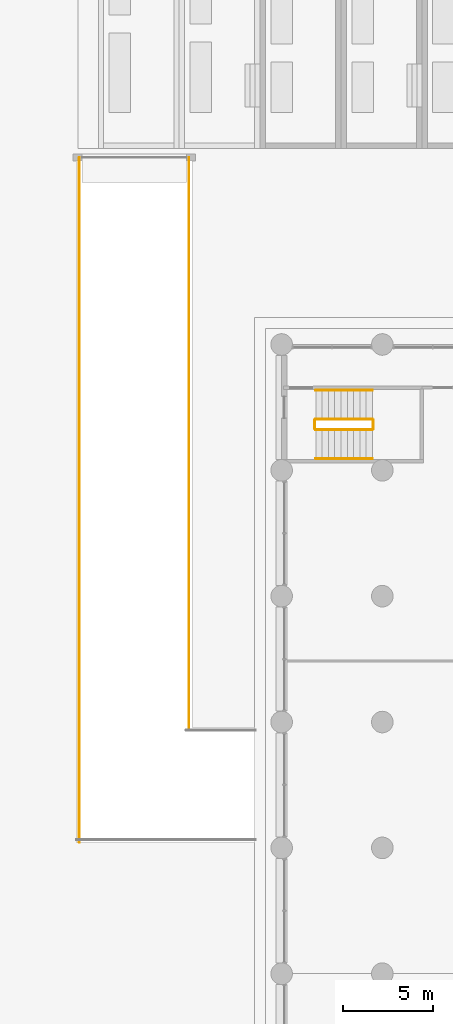
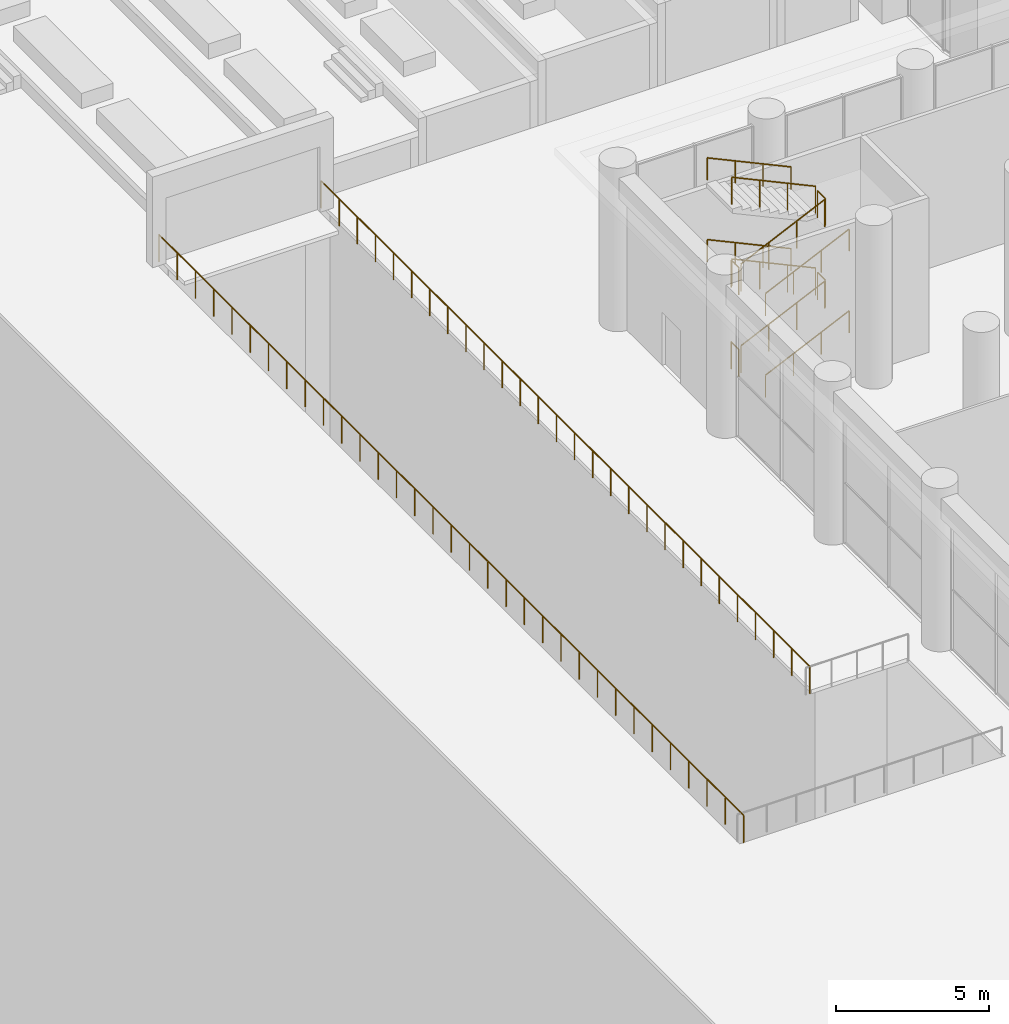
# One storey, part 46 of 51: 14 railings.
"""IFC4 building model written with IfcOpenShell, lengths in metres."""

from ifc_helpers import new_model, si_unit, direction, frame, origin, origin_2d, place, context, subcontext, project, spatial, circle, extrude, material, type_object, element, save


model = new_model("IFC4")

# Units and contexts
model_context = context("Model", 3, precision=1e-05, world=origin(), true_north=direction((0.0, 1.0)))
body_context = subcontext(model_context, "Body", "Model", "MODEL_VIEW")
ifc_project = project(units=[si_unit("LENGTHUNIT", "METRE"), si_unit("AREAUNIT", "SQUARE_METRE"), si_unit("VOLUMEUNIT", "CUBIC_METRE"), si_unit("PLANEANGLEUNIT", "RADIAN"), si_unit("MASSUNIT", "GRAM", prefix="KILO")], contexts=[model_context])

# Site, building, storey
site_placement = place(None, origin())
site = spatial("IfcSite", under=ifc_project, at=site_placement, CompositionType="ELEMENT")
building_placement = place(site_placement, origin())
building = spatial("IfcBuilding", under=site, at=building_placement, Name="Kiln Ring Residences", CompositionType="ELEMENT")
storey_placement = place(building_placement, origin())
storey = spatial("IfcBuildingStorey", under=building, at=storey_placement, Name="L00", CompositionType="ELEMENT", Elevation=0.0)

# Railings
ifc_material_1 = material(Name="Stainless steel", Category="steel")
railing_type_1 = type_object("IfcRailingType", Name="PODIUM-STAIR-GUARD", PredefinedType="GUARDRAIL", material=ifc_material_1)
railing_1_placement = place(storey_placement, frame((-42.89990234375, -27.14990234375, 0.16259765625)))
element("IfcRailing", 1, at=railing_1_placement, inside=storey, type_object=railing_type_1, Name="L00 PS-W stair guard 1", PredefinedType="GUARDRAIL", context=body_context, shape_type="SweptSolid", body=[
    extrude(circle(Radius=0.02392578125, at=origin_2d()), frame((0.0, 0.0, 1.076171875), z_axis=(0.90701472152, 0.0, 0.421098913494), x_axis=(0.0, 1.0, 0.0)), (0.0, 0.0, 1.0), 3.472900390625),
    extrude(circle(Radius=0.02099609375, at=origin_2d()), origin(), (0.0, 0.0, 1.0), 1.052001953125),
    extrude(circle(Radius=0.02099609375, at=origin_2d()), frame((1.050048828125, 0.0, 0.487548828125)), (0.0, 0.0, 1.0), 1.052001953125),
    extrude(circle(Radius=0.02099609375, at=origin_2d()), frame((2.099853515625, 0.0, 0.974853515625)), (0.0, 0.0, 1.0), 1.052001953125),
    extrude(circle(Radius=0.02099609375, at=origin_2d()), frame((3.14990234375, 0.0, 1.46240234375)), (0.0, 0.0, 1.0), 1.052001953125),
])
railing_2_placement = place(storey_placement, frame((-39.699951171875, -27.10009765625, 1.625)))
element("IfcRailing", 2, at=railing_2_placement, inside=storey, type_object=railing_type_1, Name="L00 PS-W stair guard 2", PredefinedType="GUARDRAIL", context=body_context, shape_type="SweptSolid", body=[
    extrude(circle(Radius=0.02392578125, at=origin_2d()), frame((0.0, 0.0, 1.076171875), z_axis=(0.0, 1.0, 0.0), x_axis=(-1.0, 0.0, 0.0)), (0.0, 0.0, 1.0), 0.5),
    extrude(circle(Radius=0.02099609375, at=origin_2d()), origin(), (0.0, 0.0, 1.0), 1.052001953125),
    extrude(circle(Radius=0.02099609375, at=origin_2d()), frame((0.0, 0.5, 0.0)), (0.0, 0.0, 1.0), 1.052001953125),
])
railing_3_placement = place(storey_placement, frame((-39.75, -26.550048828125, 1.78759765625)))
element("IfcRailing", 3, at=railing_3_placement, inside=storey, type_object=railing_type_1, Name="L00 PS-W stair guard 3", PredefinedType="GUARDRAIL", context=body_context, shape_type="SweptSolid", body=[
    extrude(circle(Radius=0.02392578125, at=origin_2d()), frame((0.0, 0.0, 1.076171875), z_axis=(-0.90701472152, 0.0, 0.421098913494), x_axis=(0.0, -1.0, 0.0)), (0.0, 0.0, 1.0), 3.472900390625),
    extrude(circle(Radius=0.02099609375, at=origin_2d()), origin(), (0.0, 0.0, 1.0), 1.052001953125),
    extrude(circle(Radius=0.02099609375, at=origin_2d()), frame((-1.050048828125, 0.0, 0.487548828125)), (0.0, 0.0, 1.0), 1.052001953125),
    extrude(circle(Radius=0.02099609375, at=origin_2d()), frame((-2.099853515625, 0.0, 0.974853515625)), (0.0, 0.0, 1.0), 1.052001953125),
    extrude(circle(Radius=0.02099609375, at=origin_2d()), frame((-3.14990234375, 0.0, 1.46240234375)), (0.0, 0.0, 1.0), 1.052001953125),
])
railing_4_placement = place(storey_placement, frame((-42.949951171875, -27.10009765625, 3.25)))
element("IfcRailing", 4, at=railing_4_placement, inside=storey, type_object=railing_type_1, Name="L00 PS-W stair guard 4", PredefinedType="GUARDRAIL", context=body_context, shape_type="SweptSolid", body=[
    extrude(circle(Radius=0.02392578125, at=origin_2d()), frame((0.0, 0.0, 1.076171875), z_axis=(0.0, 1.0, 0.0), x_axis=(-1.0, 0.0, 0.0)), (0.0, 0.0, 1.0), 0.5),
    extrude(circle(Radius=0.02099609375, at=origin_2d()), origin(), (0.0, 0.0, 1.0), 1.052001953125),
    extrude(circle(Radius=0.02099609375, at=origin_2d()), frame((0.0, 0.5, 0.0)), (0.0, 0.0, 1.0), 1.052001953125),
])
railing_5_placement = place(storey_placement, frame((-42.89990234375, -27.14990234375, 3.41259765625)))
element("IfcRailing", 5, at=railing_5_placement, inside=storey, type_object=railing_type_1, Name="L00 PS-W stair guard 5", PredefinedType="GUARDRAIL", context=body_context, shape_type="SweptSolid", body=[
    extrude(circle(Radius=0.02392578125, at=origin_2d()), frame((0.0, 0.0, 1.076171875), z_axis=(0.90701472152, 0.0, 0.421098913494), x_axis=(0.0, 1.0, 0.0)), (0.0, 0.0, 1.0), 3.472900390625),
    extrude(circle(Radius=0.02099609375, at=origin_2d()), origin(), (0.0, 0.0, 1.0), 1.052001953125),
    extrude(circle(Radius=0.02099609375, at=origin_2d()), frame((1.050048828125, 0.0, 0.487548828125)), (0.0, 0.0, 1.0), 1.052001953125),
    extrude(circle(Radius=0.02099609375, at=origin_2d()), frame((2.099853515625, 0.0, 0.974853515625)), (0.0, 0.0, 1.0), 1.052001953125),
    extrude(circle(Radius=0.02099609375, at=origin_2d()), frame((3.14990234375, 0.0, 1.46240234375)), (0.0, 0.0, 1.0), 1.052001953125),
])
railing_6_placement = place(storey_placement, frame((-39.699951171875, -27.10009765625, 4.875)))
element("IfcRailing", 6, at=railing_6_placement, inside=storey, type_object=railing_type_1, Name="L00 PS-W stair guard 6", PredefinedType="GUARDRAIL", context=body_context, shape_type="SweptSolid", body=[
    extrude(circle(Radius=0.02392578125, at=origin_2d()), frame((0.0, 0.0, 1.076171875), z_axis=(0.0, 1.0, 0.0), x_axis=(-1.0, 0.0, 0.0)), (0.0, 0.0, 1.0), 0.5),
    extrude(circle(Radius=0.02099609375, at=origin_2d()), origin(), (0.0, 0.0, 1.0), 1.052001953125),
    extrude(circle(Radius=0.02099609375, at=origin_2d()), frame((0.0, 0.5, 0.0)), (0.0, 0.0, 1.0), 1.052001953125),
])
railing_7_placement = place(storey_placement, frame((-39.75, -26.550048828125, 5.03759765625)))
element("IfcRailing", 7, at=railing_7_placement, inside=storey, type_object=railing_type_1, Name="L00 PS-W stair guard 7", PredefinedType="GUARDRAIL", context=body_context, shape_type="SweptSolid", body=[
    extrude(circle(Radius=0.02392578125, at=origin_2d()), frame((0.0, 0.0, 1.076171875), z_axis=(-0.90701472152, 0.0, 0.421098913494), x_axis=(0.0, -1.0, 0.0)), (0.0, 0.0, 1.0), 3.472900390625),
    extrude(circle(Radius=0.02099609375, at=origin_2d()), origin(), (0.0, 0.0, 1.0), 1.052001953125),
    extrude(circle(Radius=0.02099609375, at=origin_2d()), frame((-1.050048828125, 0.0, 0.487548828125)), (0.0, 0.0, 1.0), 1.052001953125),
    extrude(circle(Radius=0.02099609375, at=origin_2d()), frame((-2.099853515625, 0.0, 0.974853515625)), (0.0, 0.0, 1.0), 1.052001953125),
    extrude(circle(Radius=0.02099609375, at=origin_2d()), frame((-3.14990234375, 0.0, 1.46240234375)), (0.0, 0.0, 1.0), 1.052001953125),
])
railing_8_placement = place(storey_placement, frame((-42.949951171875, -27.10009765625, 0.0)))
element("IfcRailing", 8, at=railing_8_placement, inside=storey, type_object=railing_type_1, Name="L00 PS-W stair guard 8", PredefinedType="GUARDRAIL", context=body_context, shape_type="SweptSolid", body=[
    extrude(circle(Radius=0.02392578125, at=origin_2d()), frame((0.0, 0.0, 1.076171875), z_axis=(0.0, 1.0, 0.0), x_axis=(-1.0, 0.0, 0.0)), (0.0, 0.0, 1.0), 0.5),
    extrude(circle(Radius=0.02099609375, at=origin_2d()), origin(), (0.0, 0.0, 1.0), 1.052001953125),
    extrude(circle(Radius=0.02099609375, at=origin_2d()), frame((0.0, 0.5, 0.0)), (0.0, 0.0, 1.0), 1.052001953125),
])
ifc_material_2 = material(Name="Stainless steel", Category="steel")
railing_type_2 = type_object("IfcRailingType", Name="PODIUM-STAIR-HANDRAIL", PredefinedType="HANDRAIL", material=ifc_material_2)
railing_9_placement = place(storey_placement, frame((-42.89990234375, -28.75, 0.16259765625)))
element("IfcRailing", 9, at=railing_9_placement, inside=storey, type_object=railing_type_2, Name="L00 PS-W stair handrail 1", PredefinedType="HANDRAIL", context=body_context, shape_type="SweptSolid", body=[
    extrude(circle(Radius=0.02392578125, at=origin_2d()), frame((0.0, 0.0, 0.8759765625), z_axis=(0.90701472152, 0.0, 0.421098913494), x_axis=(0.0, 1.0, 0.0)), (0.0, 0.0, 1.0), 3.472900390625),
    extrude(circle(Radius=0.02099609375, at=origin_2d()), origin(), (0.0, 0.0, 1.0), 0.851806640625),
    extrude(circle(Radius=0.02099609375, at=origin_2d()), frame((1.050048828125, 0.0, 0.487548828125)), (0.0, 0.0, 1.0), 0.851806640625),
    extrude(circle(Radius=0.02099609375, at=origin_2d()), frame((2.099853515625, 0.0, 0.974853515625)), (0.0, 0.0, 1.0), 0.851806640625),
    extrude(circle(Radius=0.02099609375, at=origin_2d()), frame((3.14990234375, 0.0, 1.46240234375)), (0.0, 0.0, 1.0), 0.851806640625),
])
railing_10_placement = place(storey_placement, frame((-39.75, -24.949951171875, 1.78759765625)))
element("IfcRailing", 10, at=railing_10_placement, inside=storey, type_object=railing_type_2, Name="L00 PS-W stair handrail 2", PredefinedType="HANDRAIL", context=body_context, shape_type="SweptSolid", body=[
    extrude(circle(Radius=0.02392578125, at=origin_2d()), frame((0.0, 0.0, 0.8759765625), z_axis=(-0.90701472152, 0.0, 0.421098913494), x_axis=(0.0, -1.0, 0.0)), (0.0, 0.0, 1.0), 3.472900390625),
    extrude(circle(Radius=0.02099609375, at=origin_2d()), origin(), (0.0, 0.0, 1.0), 0.851806640625),
    extrude(circle(Radius=0.02099609375, at=origin_2d()), frame((-1.050048828125, 0.0, 0.487548828125)), (0.0, 0.0, 1.0), 0.851806640625),
    extrude(circle(Radius=0.02099609375, at=origin_2d()), frame((-2.099853515625, 0.0, 0.974853515625)), (0.0, 0.0, 1.0), 0.851806640625),
    extrude(circle(Radius=0.02099609375, at=origin_2d()), frame((-3.14990234375, 0.0, 1.46240234375)), (0.0, 0.0, 1.0), 0.851806640625),
])
railing_11_placement = place(storey_placement, frame((-42.89990234375, -28.75, 3.41259765625)))
element("IfcRailing", 11, at=railing_11_placement, inside=storey, type_object=railing_type_2, Name="L00 PS-W stair handrail 3", PredefinedType="HANDRAIL", context=body_context, shape_type="SweptSolid", body=[
    extrude(circle(Radius=0.02392578125, at=origin_2d()), frame((0.0, 0.0, 0.8759765625), z_axis=(0.90701472152, 0.0, 0.421098913494), x_axis=(0.0, 1.0, 0.0)), (0.0, 0.0, 1.0), 3.472900390625),
    extrude(circle(Radius=0.02099609375, at=origin_2d()), origin(), (0.0, 0.0, 1.0), 0.851806640625),
    extrude(circle(Radius=0.02099609375, at=origin_2d()), frame((1.050048828125, 0.0, 0.487548828125)), (0.0, 0.0, 1.0), 0.851806640625),
    extrude(circle(Radius=0.02099609375, at=origin_2d()), frame((2.099853515625, 0.0, 0.974853515625)), (0.0, 0.0, 1.0), 0.851806640625),
    extrude(circle(Radius=0.02099609375, at=origin_2d()), frame((3.14990234375, 0.0, 1.46240234375)), (0.0, 0.0, 1.0), 0.851806640625),
])
railing_12_placement = place(storey_placement, frame((-39.75, -24.949951171875, 5.03759765625)))
element("IfcRailing", 12, at=railing_12_placement, inside=storey, type_object=railing_type_2, Name="L00 PS-W stair handrail 4", PredefinedType="HANDRAIL", context=body_context, shape_type="SweptSolid", body=[
    extrude(circle(Radius=0.02392578125, at=origin_2d()), frame((0.0, 0.0, 0.8759765625), z_axis=(-0.90701472152, 0.0, 0.421098913494), x_axis=(0.0, -1.0, 0.0)), (0.0, 0.0, 1.0), 3.472900390625),
    extrude(circle(Radius=0.02099609375, at=origin_2d()), origin(), (0.0, 0.0, 1.0), 0.851806640625),
    extrude(circle(Radius=0.02099609375, at=origin_2d()), frame((-1.050048828125, 0.0, 0.487548828125)), (0.0, 0.0, 1.0), 0.851806640625),
    extrude(circle(Radius=0.02099609375, at=origin_2d()), frame((-2.099853515625, 0.0, 0.974853515625)), (0.0, 0.0, 1.0), 0.851806640625),
    extrude(circle(Radius=0.02099609375, at=origin_2d()), frame((-3.14990234375, 0.0, 1.46240234375)), (0.0, 0.0, 1.0), 0.851806640625),
])
ifc_material_3 = material(Name="Black powder-coated steel", Category="steel")
railing_type_3 = type_object("IfcRailingType", Name="RAMP GUARD 1100", PredefinedType="GUARDRAIL", material=ifc_material_3)
railing_13_placement = place(storey_placement, frame((-56.050048828125, -50.10009765625, 0.0)))
element("IfcRailing", 13, at=railing_13_placement, inside=storey, type_object=railing_type_3, Name="Ramp guard W", PredefinedType="GUARDRAIL", context=body_context, shape_type="SweptSolid", body=[
    extrude(circle(Radius=0.02392578125, at=origin_2d()), frame((0.0, 0.0, 1.076171875), z_axis=(0.0, 1.0, 0.0), x_axis=(-1.0, 0.0, 0.0)), (0.0, 0.0, 1.0), 38.10009765625),
    extrude(circle(Radius=0.02099609375, at=origin_2d()), origin(), (0.0, 0.0, 1.0), 1.052001953125),
    extrude(circle(Radius=0.02099609375, at=origin_2d()), frame((0.0, 1.190673828125, 0.0)), (0.0, 0.0, 1.0), 1.052001953125),
    extrude(circle(Radius=0.02099609375, at=origin_2d()), frame((0.0, 2.38134765625, 0.0)), (0.0, 0.0, 1.0), 1.052001953125),
    extrude(circle(Radius=0.02099609375, at=origin_2d()), frame((0.0, 3.57177734375, 0.0)), (0.0, 0.0, 1.0), 1.052001953125),
    extrude(circle(Radius=0.02099609375, at=origin_2d()), frame((0.0, 4.762451171875, 0.0)), (0.0, 0.0, 1.0), 1.052001953125),
    extrude(circle(Radius=0.02099609375, at=origin_2d()), frame((0.0, 5.953125, 0.0)), (0.0, 0.0, 1.0), 1.052001953125),
    extrude(circle(Radius=0.02099609375, at=origin_2d()), frame((0.0, 7.143798828125, 0.0)), (0.0, 0.0, 1.0), 1.052001953125),
    extrude(circle(Radius=0.02099609375, at=origin_2d()), frame((0.0, 8.33447265625, 0.0)), (0.0, 0.0, 1.0), 1.052001953125),
    extrude(circle(Radius=0.02099609375, at=origin_2d()), frame((0.0, 9.52490234375, 0.0)), (0.0, 0.0, 1.0), 1.052001953125),
    extrude(circle(Radius=0.02099609375, at=origin_2d()), frame((0.0, 10.715576171875, 0.0)), (0.0, 0.0, 1.0), 1.052001953125),
    extrude(circle(Radius=0.02099609375, at=origin_2d()), frame((0.0, 11.90625, 0.0)), (0.0, 0.0, 1.0), 1.052001953125),
    extrude(circle(Radius=0.02099609375, at=origin_2d()), frame((0.0, 13.096923828125, 0.0)), (0.0, 0.0, 1.0), 1.052001953125),
    extrude(circle(Radius=0.02099609375, at=origin_2d()), frame((0.0, 14.28759765625, 0.0)), (0.0, 0.0, 1.0), 1.052001953125),
    extrude(circle(Radius=0.02099609375, at=origin_2d()), frame((0.0, 15.478271484375, 0.0)), (0.0, 0.0, 1.0), 1.052001953125),
    extrude(circle(Radius=0.02099609375, at=origin_2d()), frame((0.0, 16.668701171875, 0.0)), (0.0, 0.0, 1.0), 1.052001953125),
    extrude(circle(Radius=0.02099609375, at=origin_2d()), frame((0.0, 17.859375, 0.0)), (0.0, 0.0, 1.0), 1.052001953125),
    extrude(circle(Radius=0.02099609375, at=origin_2d()), frame((0.0, 19.050048828125, 0.0)), (0.0, 0.0, 1.0), 1.052001953125),
    extrude(circle(Radius=0.02099609375, at=origin_2d()), frame((0.0, 20.24072265625, 0.0)), (0.0, 0.0, 1.0), 1.052001953125),
    extrude(circle(Radius=0.02099609375, at=origin_2d()), frame((0.0, 21.431396484375, 0.0)), (0.0, 0.0, 1.0), 1.052001953125),
    extrude(circle(Radius=0.02099609375, at=origin_2d()), frame((0.0, 22.621826171875, 0.0)), (0.0, 0.0, 1.0), 1.052001953125),
    extrude(circle(Radius=0.02099609375, at=origin_2d()), frame((0.0, 23.8125, 0.0)), (0.0, 0.0, 1.0), 1.052001953125),
    extrude(circle(Radius=0.02099609375, at=origin_2d()), frame((0.0, 25.003173828125, 0.0)), (0.0, 0.0, 1.0), 1.052001953125),
    extrude(circle(Radius=0.02099609375, at=origin_2d()), frame((0.0, 26.19384765625, 0.0)), (0.0, 0.0, 1.0), 1.052001953125),
    extrude(circle(Radius=0.02099609375, at=origin_2d()), frame((0.0, 27.384521484375, 0.0)), (0.0, 0.0, 1.0), 1.052001953125),
    extrude(circle(Radius=0.02099609375, at=origin_2d()), frame((0.0, 28.5751953125, 0.0)), (0.0, 0.0, 1.0), 1.052001953125),
    extrude(circle(Radius=0.02099609375, at=origin_2d()), frame((0.0, 29.765625, 0.0)), (0.0, 0.0, 1.0), 1.052001953125),
    extrude(circle(Radius=0.02099609375, at=origin_2d()), frame((0.0, 30.956298828125, 0.0)), (0.0, 0.0, 1.0), 1.052001953125),
    extrude(circle(Radius=0.02099609375, at=origin_2d()), frame((0.0, 32.14697265625, 0.0)), (0.0, 0.0, 1.0), 1.052001953125),
    extrude(circle(Radius=0.02099609375, at=origin_2d()), frame((0.0, 33.337646484375, 0.0)), (0.0, 0.0, 1.0), 1.052001953125),
    extrude(circle(Radius=0.02099609375, at=origin_2d()), frame((0.0, 34.5283203125, 0.0)), (0.0, 0.0, 1.0), 1.052001953125),
    extrude(circle(Radius=0.02099609375, at=origin_2d()), frame((0.0, 35.71875, 0.0)), (0.0, 0.0, 1.0), 1.052001953125),
    extrude(circle(Radius=0.02099609375, at=origin_2d()), frame((0.0, 36.909423828125, 0.0)), (0.0, 0.0, 1.0), 1.052001953125),
    extrude(circle(Radius=0.02099609375, at=origin_2d()), frame((0.0, 38.10009765625, 0.0)), (0.0, 0.0, 1.0), 1.052001953125),
])
railing_14_placement = place(storey_placement, frame((-49.949951171875, -43.85009765625, 0.0)))
element("IfcRailing", 14, at=railing_14_placement, inside=storey, type_object=railing_type_3, Name="Ramp guard E", PredefinedType="GUARDRAIL", context=body_context, shape_type="SweptSolid", body=[
    extrude(circle(Radius=0.02392578125, at=origin_2d()), frame((0.0, 0.0, 1.076171875), z_axis=(0.0, 1.0, 0.0), x_axis=(-1.0, 0.0, 0.0)), (0.0, 0.0, 1.0), 31.85009765625),
    extrude(circle(Radius=0.02099609375, at=origin_2d()), origin(), (0.0, 0.0, 1.0), 1.052001953125),
    extrude(circle(Radius=0.02099609375, at=origin_2d()), frame((0.0, 1.1796875, 0.0)), (0.0, 0.0, 1.0), 1.052001953125),
    extrude(circle(Radius=0.02099609375, at=origin_2d()), frame((0.0, 2.359375, 0.0)), (0.0, 0.0, 1.0), 1.052001953125),
    extrude(circle(Radius=0.02099609375, at=origin_2d()), frame((0.0, 3.538818359375, 0.0)), (0.0, 0.0, 1.0), 1.052001953125),
    extrude(circle(Radius=0.02099609375, at=origin_2d()), frame((0.0, 4.718505859375, 0.0)), (0.0, 0.0, 1.0), 1.052001953125),
    extrude(circle(Radius=0.02099609375, at=origin_2d()), frame((0.0, 5.898193359375, 0.0)), (0.0, 0.0, 1.0), 1.052001953125),
    extrude(circle(Radius=0.02099609375, at=origin_2d()), frame((0.0, 7.077880859375, 0.0)), (0.0, 0.0, 1.0), 1.052001953125),
    extrude(circle(Radius=0.02099609375, at=origin_2d()), frame((0.0, 8.25732421875, 0.0)), (0.0, 0.0, 1.0), 1.052001953125),
    extrude(circle(Radius=0.02099609375, at=origin_2d()), frame((0.0, 9.43701171875, 0.0)), (0.0, 0.0, 1.0), 1.052001953125),
    extrude(circle(Radius=0.02099609375, at=origin_2d()), frame((0.0, 10.61669921875, 0.0)), (0.0, 0.0, 1.0), 1.052001953125),
    extrude(circle(Radius=0.02099609375, at=origin_2d()), frame((0.0, 11.79638671875, 0.0)), (0.0, 0.0, 1.0), 1.052001953125),
    extrude(circle(Radius=0.02099609375, at=origin_2d()), frame((0.0, 12.97607421875, 0.0)), (0.0, 0.0, 1.0), 1.052001953125),
    extrude(circle(Radius=0.02099609375, at=origin_2d()), frame((0.0, 14.155517578125, 0.0)), (0.0, 0.0, 1.0), 1.052001953125),
    extrude(circle(Radius=0.02099609375, at=origin_2d()), frame((0.0, 15.335205078125, 0.0)), (0.0, 0.0, 1.0), 1.052001953125),
    extrude(circle(Radius=0.02099609375, at=origin_2d()), frame((0.0, 16.514892578125, 0.0)), (0.0, 0.0, 1.0), 1.052001953125),
    extrude(circle(Radius=0.02099609375, at=origin_2d()), frame((0.0, 17.694580078125, 0.0)), (0.0, 0.0, 1.0), 1.052001953125),
    extrude(circle(Radius=0.02099609375, at=origin_2d()), frame((0.0, 18.8740234375, 0.0)), (0.0, 0.0, 1.0), 1.052001953125),
    extrude(circle(Radius=0.02099609375, at=origin_2d()), frame((0.0, 20.0537109375, 0.0)), (0.0, 0.0, 1.0), 1.052001953125),
    extrude(circle(Radius=0.02099609375, at=origin_2d()), frame((0.0, 21.2333984375, 0.0)), (0.0, 0.0, 1.0), 1.052001953125),
    extrude(circle(Radius=0.02099609375, at=origin_2d()), frame((0.0, 22.4130859375, 0.0)), (0.0, 0.0, 1.0), 1.052001953125),
    extrude(circle(Radius=0.02099609375, at=origin_2d()), frame((0.0, 23.5927734375, 0.0)), (0.0, 0.0, 1.0), 1.052001953125),
    extrude(circle(Radius=0.02099609375, at=origin_2d()), frame((0.0, 24.772216796875, 0.0)), (0.0, 0.0, 1.0), 1.052001953125),
    extrude(circle(Radius=0.02099609375, at=origin_2d()), frame((0.0, 25.951904296875, 0.0)), (0.0, 0.0, 1.0), 1.052001953125),
    extrude(circle(Radius=0.02099609375, at=origin_2d()), frame((0.0, 27.131591796875, 0.0)), (0.0, 0.0, 1.0), 1.052001953125),
    extrude(circle(Radius=0.02099609375, at=origin_2d()), frame((0.0, 28.311279296875, 0.0)), (0.0, 0.0, 1.0), 1.052001953125),
    extrude(circle(Radius=0.02099609375, at=origin_2d()), frame((0.0, 29.49072265625, 0.0)), (0.0, 0.0, 1.0), 1.052001953125),
    extrude(circle(Radius=0.02099609375, at=origin_2d()), frame((0.0, 30.67041015625, 0.0)), (0.0, 0.0, 1.0), 1.052001953125),
    extrude(circle(Radius=0.02099609375, at=origin_2d()), frame((0.0, 31.85009765625, 0.0)), (0.0, 0.0, 1.0), 1.052001953125),
])

save(model, "model.ifc")
